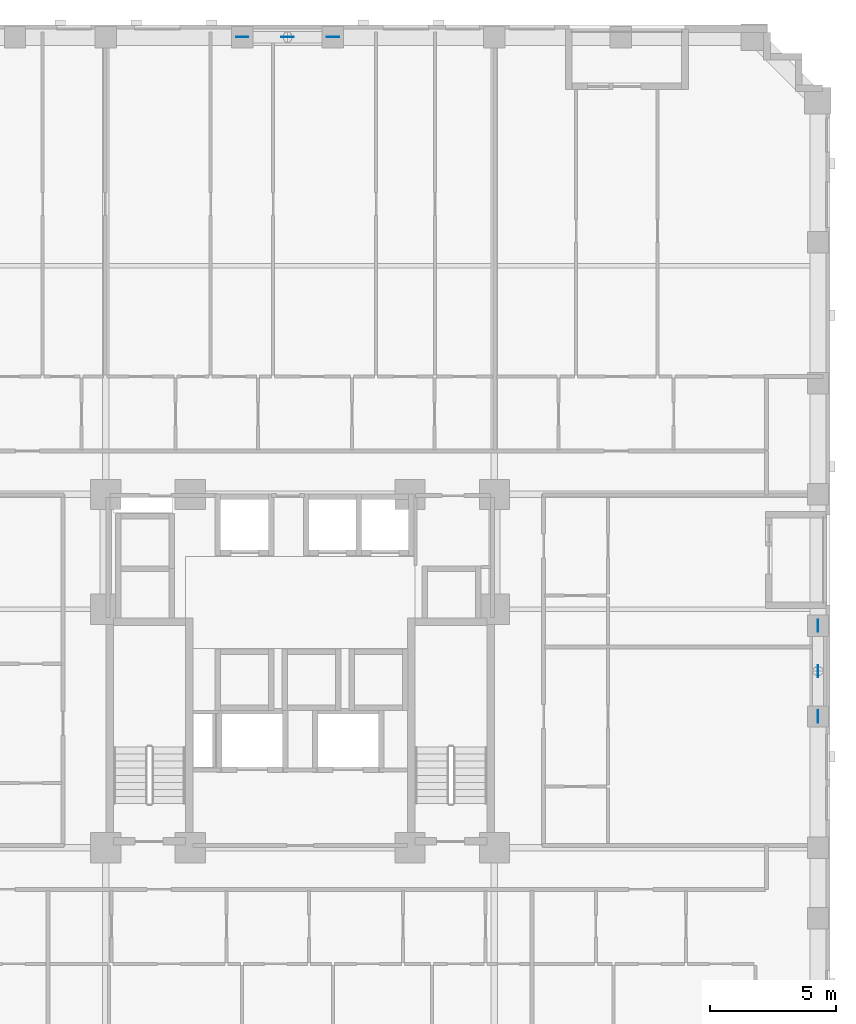
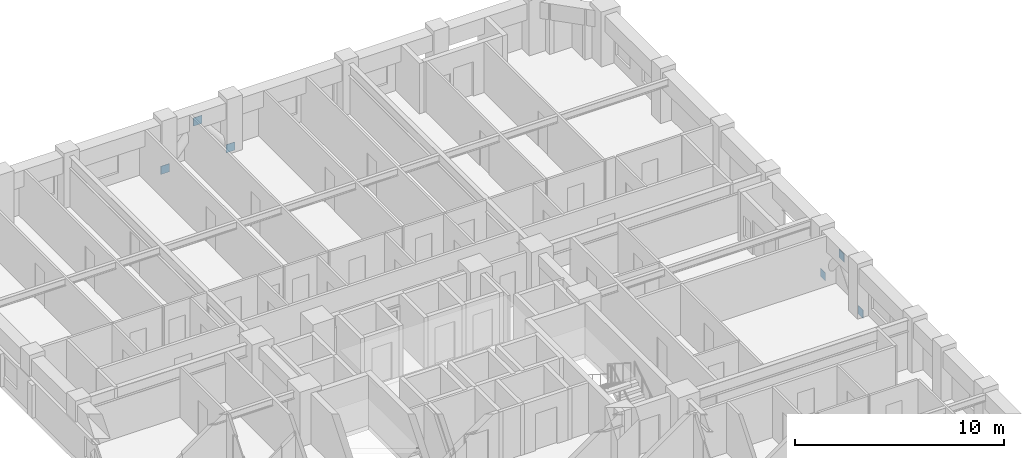
# One storey, part 11 of 14: 6 discrete accessories.
"""IFC4 building model written with IfcOpenShell, lengths in metres."""

from ifc_helpers import new_model, si_unit, derived_unit, direction, frame, origin, origin_2d, place, context, subcontext, project, spatial, rectangle, extrude, material, layer, layer_set, type_object, element, save


model = new_model("IFC4")

# Units and contexts
model_context = context("Model", 3, precision=1e-05, world=origin(), true_north=direction((0.0, 1.0)))
body_context = subcontext(model_context, "Body", "Model", "MODEL_VIEW")
ifc_project = project(units=[si_unit("LENGTHUNIT", "METRE"), si_unit("AREAUNIT", "SQUARE_METRE"), si_unit("VOLUMEUNIT", "CUBIC_METRE"), si_unit("PLANEANGLEUNIT", "RADIAN"), si_unit("MASSUNIT", "GRAM", prefix="KILO"), derived_unit("THERMALTRANSMITTANCEUNIT", [(si_unit("MASSUNIT", "GRAM", prefix="KILO"), 1), (si_unit("TIMEUNIT", "SECOND"), -3), (si_unit("THERMODYNAMICTEMPERATUREUNIT", "KELVIN"), -1)])], contexts=[model_context])

# Site, building, storey
site_placement = place(None, origin())
site = spatial("IfcSite", under=ifc_project, at=site_placement, CompositionType="ELEMENT")
building_placement = place(site_placement, origin())
building = spatial("IfcBuilding", under=site, at=building_placement, Name="Korrvale Station Residences", CompositionType="ELEMENT")
storey_placement = place(building_placement, frame((0.0, 0.0, 48.199951171875)))
storey = spatial("IfcBuildingStorey", under=building, at=storey_placement, Name="L12", CompositionType="ELEMENT", Elevation=48.199951171875)

# Discrete accessories
ifc_material = material(Name="Steel S355", Category="steel")
ifc_layer = layer(ifc_material, 0.02490234375, Name="Steel S355")
ifc_layer_set = layer_set([ifc_layer], Name="Steel S355")
discrete_accessory_type = type_object("IfcDiscreteAccessoryType", Name="ACC-GUSSET-25", PredefinedType="BRACKET", material=ifc_layer_set)
for number, where, z_axis, x_axis, name in (
    (1, (23.199951171875, 47.1201171875, -0.219970703125), (0.0, 0.0, 1.0), (1.0, 0.0, 0.0), "L12 N Brace End Gusset Connection A"),
    (2, (26.800048828125, 47.1201171875, -0.219970703125), (0.0, 0.0, 1.0), (1.0, 0.0, 0.0), "L12 N Brace End Gusset Connection B"),
    (3, (25.0, 47.1201171875, 1.969970703125), (0.0, 0.0, 1.0), (1.0, 0.0, 0.0), "L12 N Brace End Gusset Connection M"),
    (4, (46.02001953125, 20.199951171875, -0.219970703125), (0.0, 0.0, 1.0), (0.0, 1.0, 0.0), "L12 E Brace End Gusset Connection A"),
    (5, (46.02001953125, 23.800048828125, -0.219970703125), (0.0, 0.0, 1.0), (0.0, 1.0, 0.0), "L12 E Brace End Gusset Connection B"),
    (6, (46.02001953125, 22.0, 1.969970703125), (0.0, 0.0, 1.0), (0.0, 1.0, 0.0), "L12 E Brace End Gusset Connection M"),
):
    element("IfcDiscreteAccessory", number, at=place(storey_placement, frame(where, z_axis=z_axis, x_axis=x_axis)), inside=storey, type_object=discrete_accessory_type, Name=name, PredefinedType="BRACKET", context=body_context, shape_type="SweptSolid", body=[
        extrude(rectangle(XDim=0.47998046875, YDim=0.02490234375, at=origin_2d()), origin(), (0.0, 0.0, 1.0), 0.47998046875),
    ])

save(model, "model.ifc")
